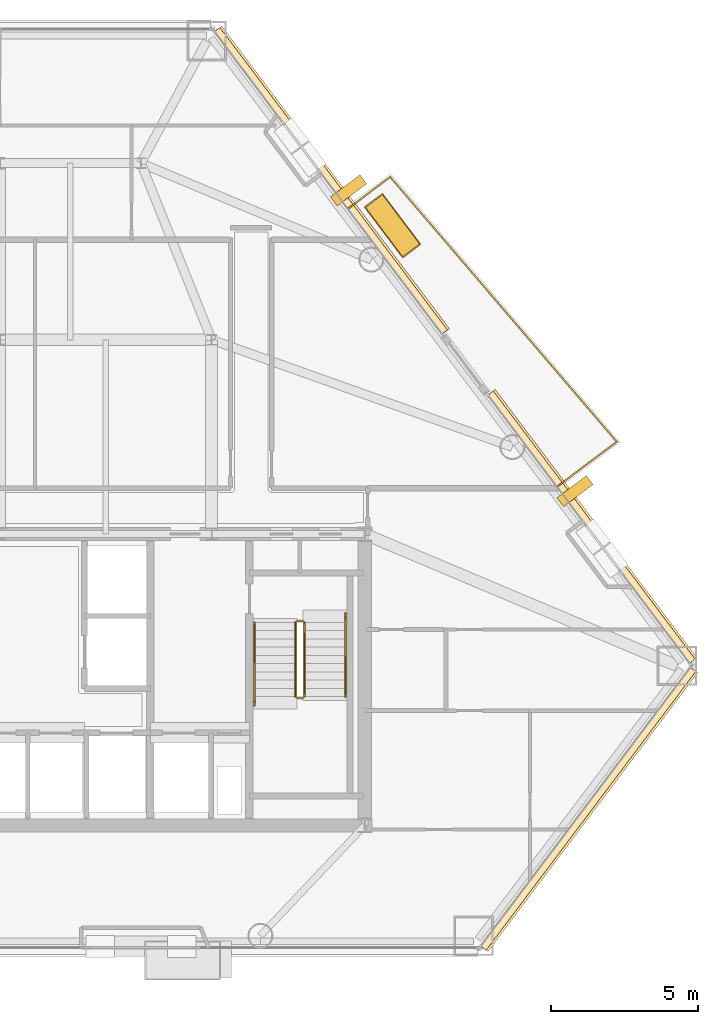
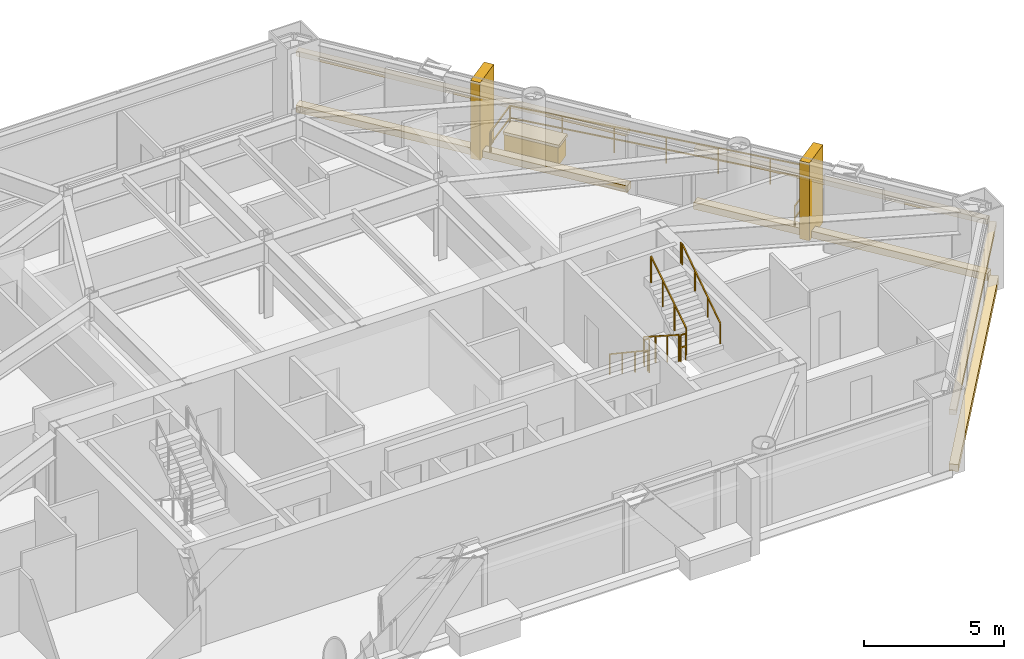
# One storey, part 11 of 11: 10 coverings, 7 railings.
"""IFC4 building model written with IfcOpenShell, lengths in metres."""

from ifc_helpers import new_model, si_unit, direction, frame, origin, origin_2d, place, context, subcontext, project, spatial, rectangle, extrude, material, layer, layer_set, type_object, element, save


model = new_model("IFC4")

# Units and contexts
model_context = context("Model", 3, precision=1e-05, world=origin(), true_north=direction((0.0, 1.0)))
body_context = subcontext(model_context, "Body", "Model", "MODEL_VIEW")
ifc_project = project(units=[si_unit("LENGTHUNIT", "METRE"), si_unit("AREAUNIT", "SQUARE_METRE"), si_unit("VOLUMEUNIT", "CUBIC_METRE"), si_unit("PLANEANGLEUNIT", "RADIAN"), si_unit("MASSUNIT", "GRAM", prefix="KILO")], contexts=[model_context])

# Site, building, storey
site_placement = place(None, origin())
site = spatial("IfcSite", under=ifc_project, at=site_placement, CompositionType="ELEMENT")
building_placement = place(site_placement, origin())
building = spatial("IfcBuilding", under=site, at=building_placement, Name="Talgorran Terracotta Tower", CompositionType="ELEMENT")
storey_placement = place(building_placement, frame((0.0, 0.0, 68.39990234375)))
storey = spatial("IfcBuildingStorey", under=building, at=storey_placement, Name="L17", CompositionType="ELEMENT", Elevation=68.39990234375)

# Coverings
ifc_material_1 = material(Name="Kiln-Fired Terracotta Ochre Ceramic", Category="masonry")
ifc_layer_1 = layer(ifc_material_1, 0.179931640625, Name="COV_BAGUETTE_TERRACOTTA_SCREEN")
ifc_layer_set_1 = layer_set([ifc_layer_1], Name="Kiln-Fired Terracotta Ochre Ceramic")
covering_type_1 = type_object("IfcCoveringType", Name="COV_BAGUETTE_TERRACOTTA_SCREEN", PredefinedType="CLADDING", material=ifc_layer_set_1)
covering_1_placement = place(storey_placement, frame((19.98388671875, -13.52001953125, 2.41015625), z_axis=(0.0, 0.0, 1.0), x_axis=(0.601243377531, 0.799065955334, 0.0)))
element("IfcCovering", 1, at=covering_1_placement, inside=storey, type_object=covering_type_1, Name="L17 Terracotta Baguette Solar Screen Assembly F2", PredefinedType="CLADDING", context=body_context, shape_type="SweptSolid", body=[
    extrude(rectangle(XDim=11.84130859375, YDim=0.260009765625, at=origin_2d()), origin(), (0.0, 0.0, 1.0), 0.219970703125),
])
covering_2_placement = place(storey_placement, frame((20.094482421875, -3.972900390625, 2.41015625), z_axis=(0.0, 0.0, 1.0), x_axis=(-0.601243377531, 0.799065955334, 0.0)))
element("IfcCovering", 2, at=covering_2_placement, inside=storey, type_object=covering_type_1, Name="L17 Terracotta Baguette Solar Screen Assembly F40", PredefinedType="CLADDING", context=body_context, shape_type="SweptSolid", body=[
    extrude(rectangle(XDim=11.393310546875, YDim=0.260009765625, at=origin_2d()), origin(), (0.0, 0.0, 1.0), 0.219970703125),
])
covering_3_placement = place(storey_placement, frame((11.2431640625, 7.791015625, 2.41015625), z_axis=(0.0, 0.0, 1.0), x_axis=(-0.601243377531, 0.799065955334, 0.0)))
element("IfcCovering", 3, at=covering_3_placement, inside=storey, type_object=covering_type_1, Name="L17 Terracotta Baguette Solar Screen Assembly F41", PredefinedType="CLADDING", context=body_context, shape_type="SweptSolid", body=[
    extrude(rectangle(XDim=12.850341796875, YDim=0.260009765625, at=origin_2d()), origin(), (0.0, 0.0, 1.0), 0.219970703125),
])
ifc_material_2 = material(Name="Honed Limestone and Terracotta Planter", Category="masonry")
ifc_layer_2 = layer(ifc_material_2, 0.1201171875, Name="COV_PLANTER_BOX")
ifc_layer_set_2 = layer_set([ifc_layer_2], Name="Honed Limestone and Terracotta Planter")
covering_type_2 = type_object("IfcCoveringType", Name="COV_PLANTER_BOX", PredefinedType="CLADDING", material=ifc_layer_set_2)
covering_4_placement = place(storey_placement, frame((13.346435546875, 6.2763671875, -0.02001953125), z_axis=(0.0, 0.0, 1.0), x_axis=(-0.601243377531, 0.799065955334, 0.0)))
element("IfcCovering", 4, at=covering_4_placement, inside=storey, type_object=covering_type_2, Name="L17 Staggered Balcony Planter Box BAL-NE", PredefinedType="CLADDING", context=body_context, shape_type="SweptSolid", body=[
    extrude(rectangle(XDim=2.10009765625, YDim=0.719970703125, at=origin_2d()), origin(), (0.0, 0.0, 1.0), 0.860107421875),
])
ifc_material_3 = material(Name="Kiln-Fired Terracotta Planter Rim", Category="masonry")
ifc_layer_3 = layer(ifc_material_3, 0.10009765625, Name="COV_PLANTER_RIM")
ifc_layer_set_3 = layer_set([ifc_layer_3], Name="Kiln-Fired Terracotta Planter Rim")
covering_type_3 = type_object("IfcCoveringType", Name="COV_PLANTER_RIM", PredefinedType="CLADDING", material=ifc_layer_set_3)
covering_5_placement = place(storey_placement, frame((13.346435546875, 6.2763671875, 0.800048828125), z_axis=(0.0, 0.0, 1.0), x_axis=(-0.601243377531, 0.799065955334, 0.0)))
element("IfcCovering", 5, at=covering_5_placement, inside=storey, type_object=covering_type_3, Name="L17 Balcony Planter Terracotta Rim BAL-NE", PredefinedType="CLADDING", context=body_context, shape_type="SweptSolid", body=[
    extrude(rectangle(XDim=2.179931640625, YDim=0.780029296875, at=origin_2d()), origin(), (0.0, 0.0, 1.0), 0.1201171875),
])
ifc_material_4 = material(Name="Honed Limestone Cladding", Category="masonry")
ifc_layer_4 = layer(ifc_material_4, 0.094970703125, Name="COV_PORTAL_LIME")
ifc_layer_set_4 = layer_set([ifc_layer_4], Name="Honed Limestone Cladding")
covering_type_4 = type_object("IfcCoveringType", Name="COV_PORTAL_LIME", PredefinedType="CLADDING", material=ifc_layer_set_4)
covering_6_placement = place(storey_placement, frame((19.543701171875, -2.741943359375, -0.0498046875), z_axis=(0.0, 0.0, 1.0), x_axis=(-0.601243377531, 0.799065955334, 0.0)))
element("IfcCovering", 6, at=covering_6_placement, inside=storey, type_object=covering_type_4, Name="L17 White Striped Portal Fin F3-1", PredefinedType="CLADDING", context=body_context, shape_type="SweptSolid", body=[
    extrude(rectangle(XDim=0.3798828125, YDim=1.25, at=origin_2d()), origin(), (0.0, 0.0, 1.0), 3.39990234375),
])
ifc_material_5 = material(Name="Kiln-Fired Terracotta Cladding", Category="masonry")
ifc_layer_5 = layer(ifc_material_5, 0.090087890625, Name="COV_PORTAL_TERRA")
ifc_layer_set_5 = layer_set([ifc_layer_5], Name="Kiln-Fired Terracotta Cladding")
covering_type_5 = type_object("IfcCoveringType", Name="COV_PORTAL_TERRA", PredefinedType="CLADDING", material=ifc_layer_set_5)
covering_7_placement = place(storey_placement, frame((20.015869140625, -13.5439453125, -0.0400390625), z_axis=(0.0, 0.0, 1.0), x_axis=(0.601243377531, 0.799065955334, 0.0)))
element("IfcCovering", 7, at=covering_7_placement, inside=storey, type_object=covering_type_5, Name="L17 Striped Postmodern Portal Cladding Band F2", PredefinedType="CLADDING", context=body_context, shape_type="SweptSolid", body=[
    extrude(rectangle(XDim=11.861328125, YDim=0.340087890625, at=origin_2d()), origin(), (0.0, 0.0, 1.0), 0.300048828125),
])
covering_8_placement = place(storey_placement, frame((20.12646484375, -3.94873046875, -0.0400390625), z_axis=(0.0, 0.0, 1.0), x_axis=(-0.601243377531, 0.799065955334, 0.0)))
element("IfcCovering", 8, at=covering_8_placement, inside=storey, type_object=covering_type_5, Name="L17 Striped Postmodern Portal Cladding Band F40", PredefinedType="CLADDING", context=body_context, shape_type="SweptSolid", body=[
    extrude(rectangle(XDim=11.4130859375, YDim=0.340087890625, at=origin_2d()), origin(), (0.0, 0.0, 1.0), 0.300048828125),
])
covering_9_placement = place(storey_placement, frame((11.275146484375, 7.81494140625, -0.0400390625), z_axis=(0.0, 0.0, 1.0), x_axis=(-0.601243377531, 0.799065955334, 0.0)))
element("IfcCovering", 9, at=covering_9_placement, inside=storey, type_object=covering_type_5, Name="L17 Striped Postmodern Portal Cladding Band F41", PredefinedType="CLADDING", context=body_context, shape_type="SweptSolid", body=[
    extrude(rectangle(XDim=12.870361328125, YDim=0.340087890625, at=origin_2d()), origin(), (0.0, 0.0, 1.0), 0.300048828125),
])
covering_10_placement = place(storey_placement, frame((11.853759765625, 7.478515625, -0.0498046875), z_axis=(0.0, 0.0, 1.0), x_axis=(-0.601243377531, 0.799065955334, 0.0)))
element("IfcCovering", 10, at=covering_10_placement, inside=storey, type_object=covering_type_5, Name="L17 Terracotta Striped Portal Fin F3-2", PredefinedType="CLADDING", context=body_context, shape_type="SweptSolid", body=[
    extrude(rectangle(XDim=0.3798828125, YDim=1.25, at=origin_2d()), origin(), (0.0, 0.0, 1.0), 3.39990234375),
])

# Railings
ifc_material_6 = material(Name="Laminated Glass and Stainless Steel 316", Category="steel")
railing_type_1 = type_object("IfcRailingType", Name="RL_BALCONY_1150", PredefinedType="BALUSTRADE", material=ifc_material_6)
railing_1_placement = place(storey_placement, frame((18.946533203125, -2.580078125, 0.0)))
element("IfcRailing", 11, at=railing_1_placement, inside=storey, type_object=railing_type_1, Name="RL-L17-BAL-BAL-NE", PredefinedType="BALUSTRADE", context=body_context, shape_type="SweptSolid", body=[
    extrude(rectangle(XDim=0.048095703125, YDim=0.048095703125, at=origin_2d()), frame((0.0, 0.0, 1.1259765625), z_axis=(0.799069438926, 0.601238747733, 0.0), x_axis=(-0.601238747733, 0.799069438926, 0.0)), (0.0, 0.0, 1.0), 2.521240234375),
    extrude(rectangle(XDim=0.048095703125, YDim=0.048095703125, at=origin_2d()), frame((0.0, 0.0, 0.597900390625), z_axis=(0.799069438926, 0.601238747733, 0.0), x_axis=(-0.601238747733, 0.799069438926, 0.0)), (0.0, 0.0, 1.0), 2.521240234375),
    extrude(rectangle(XDim=0.048095703125, YDim=0.048095703125, at=origin_2d()), frame((2.0146484375, 1.515869140625, 1.1259765625), z_axis=(-0.650045396855, 0.759895375712, 0.0), x_axis=(-0.759895375712, -0.650045396855, 0.0)), (0.0, 0.0, 1.0), 11.8369140625),
    extrude(rectangle(XDim=0.048095703125, YDim=0.048095703125, at=origin_2d()), frame((2.0146484375, 1.515869140625, 0.597900390625), z_axis=(-0.650045396855, 0.759895375712, 0.0), x_axis=(-0.759895375712, -0.650045396855, 0.0)), (0.0, 0.0, 1.0), 11.8369140625),
    extrude(rectangle(XDim=0.048095703125, YDim=0.048095703125, at=origin_2d()), frame((-5.679931640625, 10.5107421875, 1.1259765625), z_axis=(-0.799127230555, -0.601161932748, 0.0), x_axis=(0.601161932748, -0.799127230555, 0.0)), (0.0, 0.0, 1.0), 1.78076171875),
    extrude(rectangle(XDim=0.048095703125, YDim=0.048095703125, at=origin_2d()), frame((-5.679931640625, 10.5107421875, 0.597900390625), z_axis=(-0.799127230555, -0.601161932748, 0.0), x_axis=(0.601161932748, -0.799127230555, 0.0)), (0.0, 0.0, 1.0), 1.78076171875),
    extrude(rectangle(XDim=0.0419921875, YDim=0.0419921875, at=origin_2d()), origin(), (0.0, 0.0, 1.0), 1.101806640625),
    extrude(rectangle(XDim=0.0419921875, YDim=0.0419921875, at=origin_2d()), frame((1.00732421875, 0.7578125, 0.0)), (0.0, 0.0, 1.0), 1.101806640625),
    extrude(rectangle(XDim=0.0419921875, YDim=0.0419921875, at=origin_2d()), frame((2.0146484375, 1.515869140625, 0.0)), (0.0, 0.0, 1.0), 1.101806640625),
    extrude(rectangle(XDim=0.0419921875, YDim=0.0419921875, at=origin_2d()), frame((0.732177734375, 3.01513671875, 0.0)), (0.0, 0.0, 1.0), 1.101806640625),
    extrude(rectangle(XDim=0.0419921875, YDim=0.0419921875, at=origin_2d()), frame((-0.55029296875, 4.51416015625, 0.0)), (0.0, 0.0, 1.0), 1.101806640625),
    extrude(rectangle(XDim=0.0419921875, YDim=0.0419921875, at=origin_2d()), frame((-1.83251953125, 6.01318359375, 0.0)), (0.0, 0.0, 1.0), 1.101806640625),
    extrude(rectangle(XDim=0.0419921875, YDim=0.0419921875, at=origin_2d()), frame((-3.114990234375, 7.512451171875, 0.0)), (0.0, 0.0, 1.0), 1.101806640625),
    extrude(rectangle(XDim=0.0419921875, YDim=0.0419921875, at=origin_2d()), frame((-4.3974609375, 9.01171875, 0.0)), (0.0, 0.0, 1.0), 1.101806640625),
    extrude(rectangle(XDim=0.0419921875, YDim=0.0419921875, at=origin_2d()), frame((-5.679931640625, 10.5107421875, 0.0)), (0.0, 0.0, 1.0), 1.101806640625),
    extrude(rectangle(XDim=0.0419921875, YDim=0.0419921875, at=origin_2d()), frame((-7.10302734375, 9.440185546875, 0.0)), (0.0, 0.0, 1.0), 1.101806640625),
])
ifc_material_7 = material(Name="Steel S355 (300PLUS)", Category="steel")
railing_type_2 = type_object("IfcRailingType", Name="RL_HANDRAIL_920", PredefinedType="HANDRAIL", material=ifc_material_7)
railing_2_placement = place(storey_placement, frame((8.64990234375, -7.199951171875, 0.18017578125)))
element("IfcRailing", 12, at=railing_2_placement, inside=storey, type_object=railing_type_2, Name="L17 ST-02 stair handrail 1", PredefinedType="HANDRAIL", context=body_context, shape_type="SweptSolid", body=[
    extrude(rectangle(XDim=0.048095703125, YDim=0.048095703125, at=origin_2d()), frame((0.0, 0.0, 0.89599609375), z_axis=(0.0, -0.832073444223, 0.554665469827), x_axis=(1.0, 0.0, 0.0)), (0.0, 0.0, 1.0), 3.244873046875),
    extrude(rectangle(XDim=0.048095703125, YDim=0.048095703125, at=origin_2d()), frame((0.0, -2.699951171875, 2.69580078125), z_axis=(0.0, -1.0, 0.0), x_axis=(1.0, 0.0, 0.0)), (0.0, 0.0, 1.0), 0.1201171875),
    extrude(rectangle(XDim=0.0419921875, YDim=0.0419921875, at=origin_2d()), origin(), (0.0, 0.0, 1.0), 0.871826171875),
    extrude(rectangle(XDim=0.0419921875, YDim=0.0419921875, at=origin_2d()), frame((0.0, -0.89990234375, 0.599853515625)), (0.0, 0.0, 1.0), 0.871826171875),
    extrude(rectangle(XDim=0.0419921875, YDim=0.0419921875, at=origin_2d()), frame((0.0, -1.800048828125, 1.199951171875)), (0.0, 0.0, 1.0), 0.871826171875),
    extrude(rectangle(XDim=0.0419921875, YDim=0.0419921875, at=origin_2d()), frame((0.0, -2.699951171875, 1.7998046875)), (0.0, 0.0, 1.0), 0.871826171875),
    extrude(rectangle(XDim=0.0419921875, YDim=0.0419921875, at=origin_2d()), frame((0.0, -2.820068359375, 1.7998046875)), (0.0, 0.0, 1.0), 0.871826171875),
])
railing_3_placement = place(storey_placement, frame((11.75, -9.719970703125, 1.97998046875)))
element("IfcRailing", 13, at=railing_3_placement, inside=storey, type_object=railing_type_2, Name="L17 ST-02 stair handrail 2", PredefinedType="HANDRAIL", context=body_context, shape_type="SweptSolid", body=[
    extrude(rectangle(XDim=0.048095703125, YDim=0.048095703125, at=origin_2d()), frame((0.0, 0.0, 0.89599609375), z_axis=(0.0, 0.832038719335, 0.554717558338), x_axis=(-1.0, 0.0, 0.0)), (0.0, 0.0, 1.0), 3.244873046875),
    extrude(rectangle(XDim=0.048095703125, YDim=0.048095703125, at=origin_2d()), frame((0.0, 2.699951171875, 2.69580078125), z_axis=(0.0, 1.0, 0.0), x_axis=(-1.0, 0.0, 0.0)), (0.0, 0.0, 1.0), 0.1201171875),
    extrude(rectangle(XDim=0.0419921875, YDim=0.0419921875, at=origin_2d()), origin(), (0.0, 0.0, 1.0), 0.871826171875),
    extrude(rectangle(XDim=0.0419921875, YDim=0.0419921875, at=origin_2d()), frame((0.0, 0.89990234375, 0.60009765625)), (0.0, 0.0, 1.0), 0.871826171875),
    extrude(rectangle(XDim=0.0419921875, YDim=0.0419921875, at=origin_2d()), frame((0.0, 1.800048828125, 1.199951171875)), (0.0, 0.0, 1.0), 0.871826171875),
    extrude(rectangle(XDim=0.0419921875, YDim=0.0419921875, at=origin_2d()), frame((0.0, 2.699951171875, 1.800048828125)), (0.0, 0.0, 1.0), 0.871826171875),
    extrude(rectangle(XDim=0.0419921875, YDim=0.0419921875, at=origin_2d()), frame((0.0, 2.820068359375, 1.800048828125)), (0.0, 0.0, 1.0), 0.871826171875),
])
railing_type_3 = type_object("IfcRailingType", Name="RL_STAIR_GUARD", PredefinedType="GUARDRAIL", material=ifc_material_7)
railing_4_placement = place(storey_placement, frame((10.050048828125, -7.199951171875, 0.18017578125)))
element("IfcRailing", 14, at=railing_4_placement, inside=storey, type_object=railing_type_3, Name="L17 ST-02 stair guard 1", PredefinedType="GUARDRAIL", context=body_context, shape_type="SweptSolid", body=[
    extrude(rectangle(XDim=0.048095703125, YDim=0.048095703125, at=origin_2d()), frame((0.0, 0.0, 1.15576171875), z_axis=(0.0, -0.841199657755, 0.540724639528), x_axis=(1.0, 0.0, 0.0)), (0.0, 0.0, 1.0), 2.995849609375),
    extrude(rectangle(XDim=0.0419921875, YDim=0.0419921875, at=origin_2d()), origin(), (0.0, 0.0, 1.0), 1.1318359375),
    extrude(rectangle(XDim=0.0419921875, YDim=0.0419921875, at=origin_2d()), frame((0.0, -0.840087890625, 0.5400390625)), (0.0, 0.0, 1.0), 1.1318359375),
    extrude(rectangle(XDim=0.0419921875, YDim=0.0419921875, at=origin_2d()), frame((0.0, -1.679931640625, 1.079833984375)), (0.0, 0.0, 1.0), 1.1318359375),
    extrude(rectangle(XDim=0.0419921875, YDim=0.0419921875, at=origin_2d()), frame((0.0, -2.52001953125, 1.619873046875)), (0.0, 0.0, 1.0), 1.1318359375),
])
railing_5_placement = place(storey_placement, frame((10.10009765625, -9.77001953125, 1.800048828125)))
element("IfcRailing", 15, at=railing_5_placement, inside=storey, type_object=railing_type_3, Name="L17 ST-02 stair guard 2", PredefinedType="GUARDRAIL", context=body_context, shape_type="SweptSolid", body=[
    extrude(rectangle(XDim=0.048095703125, YDim=0.048095703125, at=origin_2d()), frame((0.0, 0.0, 1.15576171875), z_axis=(1.0, 0.0, 0.0), x_axis=(0.0, 1.0, 0.0)), (0.0, 0.0, 1.0), 0.199951171875),
    extrude(rectangle(XDim=0.048095703125, YDim=0.048095703125, at=origin_2d()), frame((0.0, 0.0, 0.613525390625), z_axis=(1.0, 0.0, 0.0), x_axis=(0.0, 1.0, 0.0)), (0.0, 0.0, 1.0), 0.199951171875),
    extrude(rectangle(XDim=0.0419921875, YDim=0.0419921875, at=origin_2d()), origin(), (0.0, 0.0, 1.0), 1.1318359375),
    extrude(rectangle(XDim=0.0419921875, YDim=0.0419921875, at=origin_2d()), frame((0.199951171875, 0.0, 0.0)), (0.0, 0.0, 1.0), 1.1318359375),
])
railing_6_placement = place(storey_placement, frame((10.35009765625, -9.719970703125, 1.97998046875)))
element("IfcRailing", 16, at=railing_6_placement, inside=storey, type_object=railing_type_3, Name="L17 ST-02 stair guard 3", PredefinedType="GUARDRAIL", context=body_context, shape_type="SweptSolid", body=[
    extrude(rectangle(XDim=0.048095703125, YDim=0.048095703125, at=origin_2d()), frame((0.0, 0.0, 1.15576171875), z_axis=(0.0, 0.841162588446, 0.540782303519), x_axis=(-1.0, 0.0, 0.0)), (0.0, 0.0, 1.0), 2.995849609375),
    extrude(rectangle(XDim=0.0419921875, YDim=0.0419921875, at=origin_2d()), origin(), (0.0, 0.0, 1.0), 1.1318359375),
    extrude(rectangle(XDim=0.0419921875, YDim=0.0419921875, at=origin_2d()), frame((0.0, 0.840087890625, 0.5400390625)), (0.0, 0.0, 1.0), 1.1318359375),
    extrude(rectangle(XDim=0.0419921875, YDim=0.0419921875, at=origin_2d()), frame((0.0, 1.679931640625, 1.080078125)), (0.0, 0.0, 1.0), 1.1318359375),
    extrude(rectangle(XDim=0.0419921875, YDim=0.0419921875, at=origin_2d()), frame((0.0, 2.52001953125, 1.6201171875)), (0.0, 0.0, 1.0), 1.1318359375),
])
railing_7_placement = place(storey_placement, frame((10.10009765625, -7.14990234375, 0.0)))
element("IfcRailing", 17, at=railing_7_placement, inside=storey, type_object=railing_type_3, Name="L17 ST-02 stair guard 4", PredefinedType="GUARDRAIL", context=body_context, shape_type="SweptSolid", body=[
    extrude(rectangle(XDim=0.048095703125, YDim=0.048095703125, at=origin_2d()), frame((0.0, 0.0, 1.15576171875), z_axis=(1.0, 0.0, 0.0), x_axis=(0.0, 1.0, 0.0)), (0.0, 0.0, 1.0), 0.199951171875),
    extrude(rectangle(XDim=0.048095703125, YDim=0.048095703125, at=origin_2d()), frame((0.0, 0.0, 0.613525390625), z_axis=(1.0, 0.0, 0.0), x_axis=(0.0, 1.0, 0.0)), (0.0, 0.0, 1.0), 0.199951171875),
    extrude(rectangle(XDim=0.0419921875, YDim=0.0419921875, at=origin_2d()), origin(), (0.0, 0.0, 1.0), 1.1318359375),
    extrude(rectangle(XDim=0.0419921875, YDim=0.0419921875, at=origin_2d()), frame((0.199951171875, 0.0, 0.0)), (0.0, 0.0, 1.0), 1.1318359375),
])

save(model, "model.ifc")
